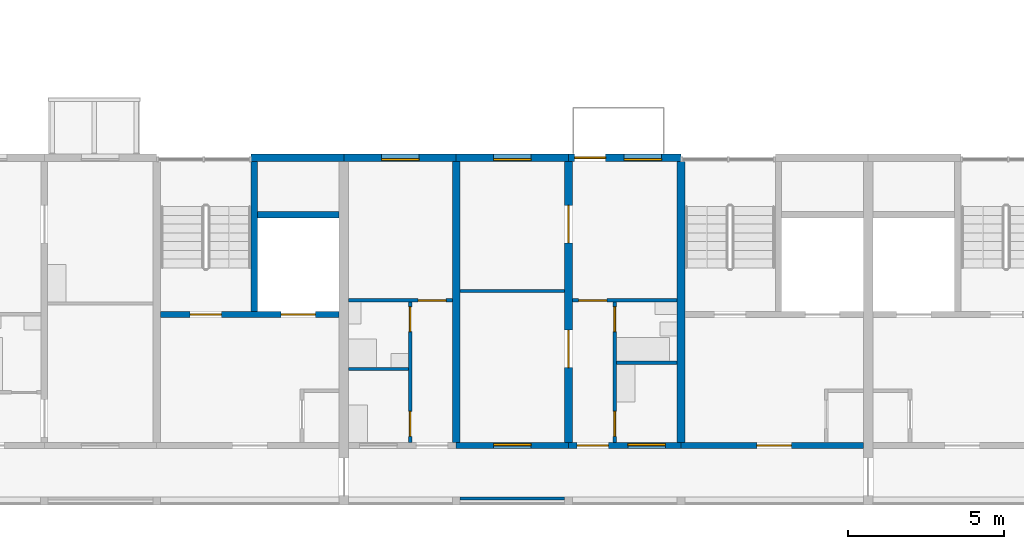
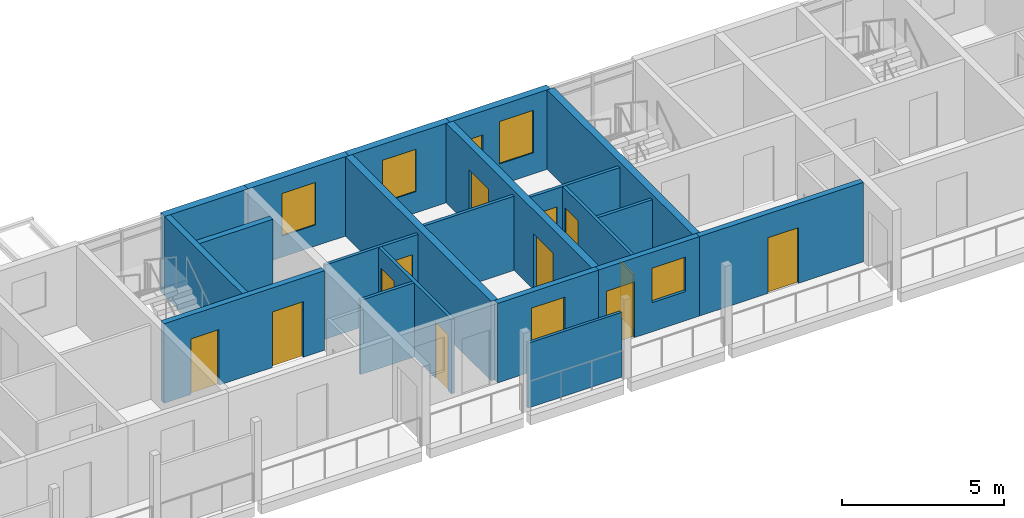
# One storey, part 37 of 99: 21 walls, 13 doors, 5 windows, 18 openings.
"""IFC4 building model written with IfcOpenShell, lengths in metres."""

from ifc_helpers import new_model, si_unit, direction, frame, frame_2d, origin, place, context, subcontext, project, spatial, rectangle, extrude, material, layer, layer_set, type_object, element, fill, save


model = new_model("IFC4")

# Units and contexts
model_context = context("Model", 3, precision=1e-05, world=origin(), true_north=direction((0.0, 1.0)))
body_context = subcontext(model_context, "Body", "Model", "MODEL_VIEW")
ifc_project = project(units=[si_unit("LENGTHUNIT", "METRE"), si_unit("AREAUNIT", "SQUARE_METRE"), si_unit("VOLUMEUNIT", "CUBIC_METRE"), si_unit("PLANEANGLEUNIT", "RADIAN"), si_unit("MASSUNIT", "GRAM", prefix="KILO")], contexts=[model_context])

# Site, building, storey
site_placement = place(None, origin())
site = spatial("IfcSite", under=ifc_project, at=site_placement, CompositionType="ELEMENT")
building_placement = place(site_placement, origin())
building = spatial("IfcBuilding", under=site, at=building_placement, Name="Ridgestep Commons", CompositionType="ELEMENT")
storey_placement = place(building_placement, frame((0.0, 0.0, 15.0)))
storey = spatial("IfcBuildingStorey", under=building, at=storey_placement, Name="L05", CompositionType="ELEMENT", Elevation=15.0)

# Wall
ifc_material_1 = material(Name="Concrete C30/37", Category="concrete")
ifc_layer_1 = layer(ifc_material_1, 0.25)
ifc_layer_set_1 = layer_set([ifc_layer_1], Name="Core cross wall 250")
wall_type_1 = type_object("IfcWallType", Name="Core cross wall 250", PredefinedType="SHEAR", material=ifc_layer_set_1)
wall_1_placement = place(storey_placement, frame((90.0, 13.75, 0.0), z_axis=(0.0, 0.0, 1.0), x_axis=(0.0, 1.0, 0.0)))
element("IfcWall", 1, at=wall_1_placement, inside=storey, type_object=wall_type_1, Name="Cross wall A-05-0900", PredefinedType="SHEAR", context=body_context, shape_type="SweptSolid", body=[
    extrude(rectangle(XDim=9.0, YDim=0.25, at=frame_2d((4.5, 0.0))), origin(), (0.0, 0.0, 1.0), 3.0),
])

# Wall, opening, door
ifc_material_2 = material(Name="Concrete C30/37", Category="concrete")
ifc_layer_2 = layer(ifc_material_2, 0.199951171875)
ifc_layer_set_2 = layer_set([ifc_layer_2], Name="Core south wall 200")
wall_type_2 = type_object("IfcWallType", Name="Core south wall 200", PredefinedType="SHEAR", material=ifc_layer_set_2)
wall_2_placement = place(storey_placement, frame((90.0, 13.64990234375, 0.0), z_axis=(0.0, 0.0, 1.0), x_axis=(1.0, 0.0, 0.0)))
wall_2 = element("IfcWall", 2, at=wall_2_placement, inside=storey, type_object=wall_type_2, Name="Core south wall A5C L05", PredefinedType="SHEAR", context=body_context, shape_type="SweptSolid", body=[
    extrude(rectangle(XDim=5.85009765625, YDim=0.199951171875, at=frame_2d((2.925048828125, 0.0))), origin(), (0.0, 0.0, 1.0), 3.0),
])
opening_1_placement = place(wall_2_placement, frame((2.4375, 0.0, 0.0)))
opening_1 = element("IfcOpeningElement", 3, at=opening_1_placement, cuts=wall_2, Name="Opening A5C/05/1", PredefinedType="OPENING", context=body_context, shape_type="SweptSolid", body=[
    extrude(rectangle(XDim=1.10009765625, YDim=2.10009765625, at=frame_2d((0.550048828125, 1.050048828125))), frame((0.0, 0.10986328125, 0.0), z_axis=(0.0, -1.0, 0.0), x_axis=(1.0, 0.0, 0.0)), (0.0, 0.0, 1.0), 0.219970703125),
])
ifc_material_3 = material(Name="Steel fire door", Category="steel")
door_type_1 = type_object("IfcDoorType", Name="Lobby door 1100 x 2100 FD60", OperationType="NOTDEFINED", PredefinedType="DOOR", material=ifc_material_3)
door_1_placement = place(opening_1_placement, origin())
door_1 = element("IfcDoor", 4, at=door_1_placement, inside=storey, type_object=door_type_1, Name="Lobby door A5C/05/1", OperationType="SINGLE_SWING_LEFT", OverallHeight=2.10009765625, OverallWidth=1.10009765625, PredefinedType="DOOR", context=body_context, shape_type="SweptSolid", body=[
    extrude(rectangle(XDim=1.10009765625, YDim=2.10009765625, at=frame_2d((0.550048828125, 1.050048828125))), frame((0.0, 0.02490234375, 0.0), z_axis=(0.0, -1.0, 0.0), x_axis=(1.0, 0.0, 0.0)), (0.0, 0.0, 1.0), 0.050048828125),
])
fill(opening_1, door_1)

# Wall, openings, doors
ifc_material_4 = material(Name="Concrete C30/37", Category="concrete")
ifc_layer_3 = layer(ifc_material_4, 0.199951171875)
ifc_layer_set_3 = layer_set([ifc_layer_3], Name="Core wall 200")
wall_type_3 = type_object("IfcWallType", Name="Core wall 200", PredefinedType="SHEAR", material=ifc_layer_set_3)
wall_3_placement = place(storey_placement, frame((73.324951171875, 17.85009765625, 0.0), z_axis=(0.0, 0.0, 1.0), x_axis=(1.0, 0.0, 0.0)))
wall_3 = element("IfcWall", 5, at=wall_3_placement, inside=storey, type_object=wall_type_3, Name="Core lobby wall A4C L05", PredefinedType="SHEAR", context=body_context, shape_type="SweptSolid", body=[
    extrude(rectangle(XDim=5.72509765625, YDim=0.199951171875, at=frame_2d((2.862548828125, 0.0))), origin(), (0.0, 0.0, 1.0), 3.0),
])
opening_2_placement = place(wall_3_placement, frame((0.949951171875, 0.0, 0.0)))
opening_2 = element("IfcOpeningElement", 6, at=opening_2_placement, cuts=wall_3, Name="Opening A4C/05/2", PredefinedType="OPENING", context=body_context, shape_type="SweptSolid", body=[
    extrude(rectangle(XDim=1.0, YDim=2.10009765625, at=frame_2d((0.5, 1.050048828125))), frame((0.0, 0.10986328125, 0.0), z_axis=(0.0, -1.0, 0.0), x_axis=(1.0, 0.0, 0.0)), (0.0, 0.0, 1.0), 0.219970703125),
])
opening_3_placement = place(wall_3_placement, frame((3.862548828125, 0.0, 0.0)))
opening_3 = element("IfcOpeningElement", 7, at=opening_3_placement, cuts=wall_3, Name="Opening A4C/05/3", PredefinedType="OPENING", context=body_context, shape_type="SweptSolid", body=[
    extrude(rectangle(XDim=1.10009765625, YDim=2.10009765625, at=frame_2d((0.550048828125, 1.050048828125))), frame((0.0, 0.10986328125, 0.0), z_axis=(0.0, -1.0, 0.0), x_axis=(1.0, 0.0, 0.0)), (0.0, 0.0, 1.0), 0.219970703125),
])
ifc_material_5 = material(Name="Stainless steel", Category="steel")
door_type_2 = type_object("IfcDoorType", Name="Lift landing door 1100 x 2100 FD60", OperationType="DOUBLE_DOOR_SLIDING", PredefinedType="DOOR", material=ifc_material_5)
door_2_placement = place(opening_3_placement, origin())
door_2 = element("IfcDoor", 8, at=door_2_placement, inside=storey, type_object=door_type_2, Name="Landing door LD A4C L05", OperationType="DOUBLE_DOOR_SLIDING", OverallHeight=2.10009765625, OverallWidth=1.10009765625, PredefinedType="DOOR", context=body_context, shape_type="SweptSolid", body=[
    extrude(rectangle(XDim=1.10009765625, YDim=2.10009765625, at=frame_2d((0.550048828125, 1.050048828125))), frame((0.0, 0.02490234375, 0.0), z_axis=(0.0, -1.0, 0.0), x_axis=(1.0, 0.0, 0.0)), (0.0, 0.0, 1.0), 0.050048828125),
])
fill(opening_3, door_2)
ifc_material_6 = material(Name="Steel fire door", Category="steel")
door_type_3 = type_object("IfcDoorType", Name="Stair door 1000 x 2100 FD60", OperationType="NOTDEFINED", PredefinedType="DOOR", material=ifc_material_6)
door_3_placement = place(opening_2_placement, origin())
door_3 = element("IfcDoor", 9, at=door_3_placement, inside=storey, type_object=door_type_3, Name="Stair door A4C/05/2", OperationType="SINGLE_SWING_RIGHT", OverallHeight=2.10009765625, OverallWidth=1.0, PredefinedType="DOOR", context=body_context, shape_type="SweptSolid", body=[
    extrude(rectangle(XDim=1.0, YDim=2.10009765625, at=frame_2d((0.5, 1.050048828125))), frame((0.0, 0.02490234375, 0.0), z_axis=(0.0, -1.0, 0.0), x_axis=(1.0, 0.0, 0.0)), (0.0, 0.0, 1.0), 0.050048828125),
])
fill(opening_2, door_3)

# Walls
wall_4_placement = place(storey_placement, frame((76.324951171875, 17.949951171875, 0.0), z_axis=(0.0, 0.0, 1.0), x_axis=(0.0, 1.0, 0.0)))
element("IfcWall", 10, at=wall_4_placement, inside=storey, type_object=wall_type_3, Name="Core stair wall A4C L05", PredefinedType="SHEAR", context=body_context, shape_type="SweptSolid", body=[
    extrude(rectangle(XDim=4.800048828125, YDim=0.199951171875, at=frame_2d((2.39990234375, 0.0))), origin(), (0.0, 0.0, 1.0), 3.0),
])
wall_5_placement = place(storey_placement, frame((76.425048828125, 21.050048828125, 0.0), z_axis=(0.0, 0.0, 1.0), x_axis=(1.0, 0.0, 0.0)))
element("IfcWall", 11, at=wall_5_placement, inside=storey, type_object=wall_type_3, Name="Core duct wall A4C L05", PredefinedType="SHEAR", context=body_context, shape_type="SweptSolid", body=[
    extrude(rectangle(XDim=2.625, YDim=0.199951171875, at=frame_2d((1.3125, 0.0))), origin(), (0.0, 0.0, 1.0), 3.0),
])
ifc_material_7 = material(Name="Precast concrete C40/50", Category="concrete")
ifc_layer_4 = layer(ifc_material_7, 0.25)
ifc_layer_set_4 = layer_set([ifc_layer_4], Name="Cross wall 250")
wall_type_4 = type_object("IfcWallType", Name="Cross wall 250", PredefinedType="SHEAR", material=ifc_layer_set_4)
wall_6_placement = place(storey_placement, frame((82.800048828125, 13.75, 0.0), z_axis=(0.0, 0.0, 1.0), x_axis=(0.0, 1.0, 0.0)))
element("IfcWall", 12, at=wall_6_placement, inside=storey, type_object=wall_type_4, Name="Cross wall A-05-0828", PredefinedType="SHEAR", context=body_context, shape_type="SweptSolid", body=[
    extrude(rectangle(XDim=9.0, YDim=0.25, at=frame_2d((4.5, 0.0))), origin(), (0.0, 0.0, 1.0), 3.0),
])

# Wall, openings, doors
wall_7_placement = place(storey_placement, frame((86.39990234375, 13.75, 0.0), z_axis=(0.0, 0.0, 1.0), x_axis=(0.0, 1.0, 0.0)))
wall_7 = element("IfcWall", 13, at=wall_7_placement, inside=storey, type_object=wall_type_4, Name="Cross wall A-05-0864", PredefinedType="SHEAR", context=body_context, shape_type="SweptSolid", body=[
    extrude(rectangle(XDim=9.0, YDim=0.25, at=frame_2d((4.5, 0.0))), origin(), (0.0, 0.0, 1.0), 3.0),
])
opening_4_placement = place(wall_7_placement, frame((2.39990234375, 0.0, 0.0)))
opening_4 = element("IfcOpeningElement", 14, at=opening_4_placement, cuts=wall_7, Name="Opening A5-05b/5", PredefinedType="OPENING", context=body_context, shape_type="SweptSolid", body=[
    extrude(rectangle(XDim=1.199951171875, YDim=2.10009765625, at=frame_2d((0.60009765625, 1.050048828125))), frame((0.0, 0.135009765625, 0.0), z_axis=(0.0, -1.0, 0.0), x_axis=(1.0, 0.0, 0.0)), (0.0, 0.0, 1.0), 0.27001953125),
])
opening_5_placement = place(wall_7_placement, frame((6.39990234375, 0.0, 0.0)))
opening_5 = element("IfcOpeningElement", 15, at=opening_5_placement, cuts=wall_7, Name="Opening A5-05b/6", PredefinedType="OPENING", context=body_context, shape_type="SweptSolid", body=[
    extrude(rectangle(XDim=1.199951171875, YDim=2.10009765625, at=frame_2d((0.60009765625, 1.050048828125))), frame((0.0, 0.135009765625, 0.0), z_axis=(0.0, -1.0, 0.0), x_axis=(1.0, 0.0, 0.0)), (0.0, 0.0, 1.0), 0.27001953125),
])
ifc_material_8 = material(Name="Timber door leaf", Category="wood")
door_type_4 = type_object("IfcDoorType", Name="Double door 1200 x 2100", OperationType="DOUBLE_DOOR_SINGLE_SWING", PredefinedType="DOOR", material=ifc_material_8)
door_4_placement = place(opening_4_placement, origin())
door_4 = element("IfcDoor", 16, at=door_4_placement, inside=storey, type_object=door_type_4, Name="Double door A5-05b/5", OperationType="DOUBLE_DOOR_SINGLE_SWING", OverallHeight=2.10009765625, OverallWidth=1.199951171875, PredefinedType="DOOR", context=body_context, shape_type="SweptSolid", body=[
    extrude(rectangle(XDim=1.199951171875, YDim=2.10009765625, at=frame_2d((0.60009765625, 1.050048828125))), frame((0.0, 0.02490234375, 0.0), z_axis=(0.0, -1.0, 0.0), x_axis=(1.0, 0.0, 0.0)), (0.0, 0.0, 1.0), 0.050048828125),
])
fill(opening_4, door_4)
door_5_placement = place(opening_5_placement, origin())
door_5 = element("IfcDoor", 17, at=door_5_placement, inside=storey, type_object=door_type_4, Name="Double door A5-05b/6", OperationType="DOUBLE_DOOR_SINGLE_SWING", OverallHeight=2.10009765625, OverallWidth=1.199951171875, PredefinedType="DOOR", context=body_context, shape_type="SweptSolid", body=[
    extrude(rectangle(XDim=1.199951171875, YDim=2.10009765625, at=frame_2d((0.60009765625, 1.050048828125))), frame((0.0, 0.02490234375, 0.0), z_axis=(0.0, -1.0, 0.0), x_axis=(1.0, 0.0, 0.0)), (0.0, 0.0, 1.0), 0.050048828125),
])
fill(opening_5, door_5)

# Wall
ifc_material_9 = material(Name="Precast concrete C40/50", Category="concrete")
ifc_layer_5 = layer(ifc_material_9, 0.25)
ifc_layer_set_5 = layer_set([ifc_layer_5], Name="North facade panel 250")
wall_type_5 = type_object("IfcWallType", Name="North facade panel 250", PredefinedType="SOLIDWALL", material=ifc_layer_set_5)
wall_8_placement = place(storey_placement, frame((76.22509765625, 22.875, 0.0), z_axis=(0.0, 0.0, 1.0), x_axis=(1.0, 0.0, 0.0)))
element("IfcWall", 18, at=wall_8_placement, inside=storey, type_object=wall_type_5, Name="North panel A4C L05", PredefinedType="SOLIDWALL", context=body_context, shape_type="SweptSolid", body=[
    extrude(rectangle(XDim=2.974853515625, YDim=0.25, at=frame_2d((1.4873046875, 0.0))), origin(), (0.0, 0.0, 1.0), 3.0),
])

# Wall, opening, window
wall_9_placement = place(storey_placement, frame((79.199951171875, 22.875, 0.0), z_axis=(0.0, 0.0, 1.0), x_axis=(1.0, 0.0, 0.0)))
wall_9 = element("IfcWall", 19, at=wall_9_placement, inside=storey, type_object=wall_type_5, Name="North panel A5T1 L05", PredefinedType="SOLIDWALL", context=body_context, shape_type="SweptSolid", body=[
    extrude(rectangle(XDim=3.60009765625, YDim=0.25, at=frame_2d((1.800048828125, 0.0))), origin(), (0.0, 0.0, 1.0), 3.0),
])
opening_6_placement = place(wall_9_placement, frame((1.21240234375, 0.0, 0.800048828125)))
opening_6 = element("IfcOpeningElement", 20, at=opening_6_placement, cuts=wall_9, Name="Opening W11", PredefinedType="OPENING", context=body_context, shape_type="SweptSolid", body=[
    extrude(rectangle(XDim=1.199951171875, YDim=1.60009765625, at=frame_2d((0.60009765625, 0.800048828125))), frame((0.0, 0.135009765625, 0.0), z_axis=(0.0, -1.0, 0.0), x_axis=(1.0, 0.0, 0.0)), (0.0, 0.0, 1.0), 0.27001953125),
])
ifc_material_10 = material(Name="Aluminium 6063-T6 and glass", Category="aluminium")
window_type_1 = type_object("IfcWindowType", Name="Flat window 1200 x 1600", PartitioningType="SINGLE_PANEL", PredefinedType="WINDOW", material=ifc_material_10)
window_1_placement = place(opening_6_placement, origin())
window_1 = element("IfcWindow", 21, at=window_1_placement, inside=storey, type_object=window_type_1, Name="Window A5-05a 2", OverallHeight=1.60009765625, OverallWidth=1.199951171875, PartitioningType="SINGLE_PANEL", PredefinedType="WINDOW", context=body_context, shape_type="SweptSolid", body=[
    extrude(rectangle(XDim=1.199951171875, YDim=1.60009765625, at=frame_2d((0.60009765625, 0.800048828125))), frame((0.0, -0.02490234375, 0.0), z_axis=(0.0, -1.0, 0.0), x_axis=(1.0, 0.0, 0.0)), (0.0, 0.0, 1.0), 0.06005859375),
])
fill(opening_6, window_1)

wall_10_placement = place(storey_placement, frame((82.800048828125, 22.875, 0.0), z_axis=(0.0, 0.0, 1.0), x_axis=(1.0, 0.0, 0.0)))
wall_10 = element("IfcWall", 22, at=wall_10_placement, inside=storey, type_object=wall_type_5, Name="North panel A5T2 L05", PredefinedType="SOLIDWALL", context=body_context, shape_type="SweptSolid", body=[
    extrude(rectangle(XDim=3.599853515625, YDim=0.25, at=frame_2d((1.7998046875, 0.0))), origin(), (0.0, 0.0, 1.0), 3.0),
])
opening_7_placement = place(wall_10_placement, frame((1.199951171875, 0.0, 0.800048828125)))
opening_7 = element("IfcOpeningElement", 23, at=opening_7_placement, cuts=wall_10, Name="Opening W11", PredefinedType="OPENING", context=body_context, shape_type="SweptSolid", body=[
    extrude(rectangle(XDim=1.199951171875, YDim=1.60009765625, at=frame_2d((0.60009765625, 0.800048828125))), frame((0.0, 0.135009765625, 0.0), z_axis=(0.0, -1.0, 0.0), x_axis=(1.0, 0.0, 0.0)), (0.0, 0.0, 1.0), 0.27001953125),
])
window_2_placement = place(opening_7_placement, origin())
window_2 = element("IfcWindow", 24, at=window_2_placement, inside=storey, type_object=window_type_1, Name="Window A5-05b 2", OverallHeight=1.60009765625, OverallWidth=1.199951171875, PartitioningType="SINGLE_PANEL", PredefinedType="WINDOW", context=body_context, shape_type="SweptSolid", body=[
    extrude(rectangle(XDim=1.199951171875, YDim=1.60009765625, at=frame_2d((0.60009765625, 0.800048828125))), frame((0.0, -0.02490234375, 0.0), z_axis=(0.0, -1.0, 0.0), x_axis=(1.0, 0.0, 0.0)), (0.0, 0.0, 1.0), 0.06005859375),
])
fill(opening_7, window_2)

# Wall, openings, door, window
wall_11_placement = place(storey_placement, frame((86.39990234375, 22.875, 0.0), z_axis=(0.0, 0.0, 1.0), x_axis=(1.0, 0.0, 0.0)))
wall_11 = element("IfcWall", 25, at=wall_11_placement, inside=storey, type_object=wall_type_5, Name="North panel A5T3 L05", PredefinedType="SOLIDWALL", context=body_context, shape_type="SweptSolid", body=[
    extrude(rectangle(XDim=3.60009765625, YDim=0.25, at=frame_2d((1.800048828125, 0.0))), origin(), (0.0, 0.0, 1.0), 3.0),
])
opening_8_placement = place(wall_11_placement, frame((1.783447265625, 0.0, 0.800048828125)))
opening_8 = element("IfcOpeningElement", 26, at=opening_8_placement, cuts=wall_11, Name="Opening W11", PredefinedType="OPENING", context=body_context, shape_type="SweptSolid", body=[
    extrude(rectangle(XDim=1.199951171875, YDim=1.60009765625, at=frame_2d((0.60009765625, 0.800048828125))), frame((0.0, 0.135009765625, 0.0), z_axis=(0.0, -1.0, 0.0), x_axis=(1.0, 0.0, 0.0)), (0.0, 0.0, 1.0), 0.27001953125),
])
opening_9_placement = place(wall_11_placement, frame((0.19189453125, 0.0, 0.0)))
opening_9 = element("IfcOpeningElement", 27, at=opening_9_placement, cuts=wall_11, Name="Opening A5-05b/7", PredefinedType="OPENING", context=body_context, shape_type="SweptSolid", body=[
    extrude(rectangle(XDim=1.0, YDim=2.10009765625, at=frame_2d((0.5, 1.050048828125))), frame((0.0, 0.135009765625, 0.0), z_axis=(0.0, -1.0, 0.0), x_axis=(1.0, 0.0, 0.0)), (0.0, 0.0, 1.0), 0.27001953125),
])
ifc_material_11 = material(Name="Aluminium and glass", Category="aluminium")
door_type_5 = type_object("IfcDoorType", Name="Balcony door 1000 x 2100", OperationType="NOTDEFINED", PredefinedType="DOOR", material=ifc_material_11)
door_6_placement = place(opening_9_placement, origin())
door_6 = element("IfcDoor", 28, at=door_6_placement, inside=storey, type_object=door_type_5, Name="Balcony door A5-05b/7", OperationType="SINGLE_SWING_RIGHT", OverallHeight=2.10009765625, OverallWidth=1.0, PredefinedType="DOOR", context=body_context, shape_type="SweptSolid", body=[
    extrude(rectangle(XDim=1.0, YDim=2.10009765625, at=frame_2d((0.5, 1.050048828125))), frame((0.0, 0.02490234375, 0.0), z_axis=(0.0, -1.0, 0.0), x_axis=(1.0, 0.0, 0.0)), (0.0, 0.0, 1.0), 0.050048828125),
])
fill(opening_9, door_6)
window_3_placement = place(opening_8_placement, origin())
window_3 = element("IfcWindow", 29, at=window_3_placement, inside=storey, type_object=window_type_1, Name="Window A5-05b 4", OverallHeight=1.60009765625, OverallWidth=1.199951171875, PartitioningType="SINGLE_PANEL", PredefinedType="WINDOW", context=body_context, shape_type="SweptSolid", body=[
    extrude(rectangle(XDim=1.199951171875, YDim=1.60009765625, at=frame_2d((0.60009765625, 0.800048828125))), frame((0.0, -0.02490234375, 0.0), z_axis=(0.0, -1.0, 0.0), x_axis=(1.0, 0.0, 0.0)), (0.0, 0.0, 1.0), 0.06005859375),
])
fill(opening_8, window_3)

# Wall
ifc_material_12 = material(Name="Common brick 110 mm", Category="masonry")
ifc_layer_6 = layer(ifc_material_12, 0.110107421875)
ifc_layer_set_6 = layer_set([ifc_layer_6], Name="Partition 110")
wall_type_6 = type_object("IfcWallType", Name="Partition 110", PredefinedType="PARTITIONING", material=ifc_layer_set_6)
wall_12_placement = place(storey_placement, frame((79.35009765625, 16.10498046875, 0.0), z_axis=(0.0, 0.0, 1.0), x_axis=(1.0, 0.0, 0.0)))
element("IfcWall", 30, at=wall_12_placement, inside=storey, type_object=wall_type_6, Name="Partition A5-05a", PredefinedType="PARTITIONING", context=body_context, shape_type="SweptSolid", body=[
    extrude(rectangle(XDim=1.914794921875, YDim=0.110107421875, at=frame_2d((0.95751953125, 0.0))), origin(), (0.0, 0.0, 1.0), 2.800048828125),
])

# Wall, openings, doors
wall_13_placement = place(storey_placement, frame((81.320068359375, 13.75, 0.0), z_axis=(0.0, 0.0, 1.0), x_axis=(0.0, 1.0, 0.0)))
wall_13 = element("IfcWall", 31, at=wall_13_placement, inside=storey, type_object=wall_type_6, Name="Partition A5-05a", PredefinedType="PARTITIONING", context=body_context, shape_type="SweptSolid", body=[
    extrude(rectangle(XDim=4.5, YDim=0.110107421875, at=frame_2d((2.25, 0.0))), origin(), (0.0, 0.0, 1.0), 2.800048828125),
])
opening_10_placement = place(wall_13_placement, frame((0.199951171875, 0.0, 0.0)))
opening_10 = element("IfcOpeningElement", 32, at=opening_10_placement, cuts=wall_13, Name="Opening A5-05a/2", PredefinedType="OPENING", context=body_context, shape_type="SweptSolid", body=[
    extrude(rectangle(XDim=0.800048828125, YDim=2.10009765625, at=frame_2d((0.39990234375, 1.050048828125))), frame((0.0, 0.06494140625, 0.0), z_axis=(0.0, -1.0, 0.0), x_axis=(1.0, 0.0, 0.0)), (0.0, 0.0, 1.0), 0.130126953125),
])
opening_11_placement = place(wall_13_placement, frame((3.550048828125, 0.0, 0.0)))
opening_11 = element("IfcOpeningElement", 33, at=opening_11_placement, cuts=wall_13, Name="Opening A5-05a/3", PredefinedType="OPENING", context=body_context, shape_type="SweptSolid", body=[
    extrude(rectangle(XDim=0.800048828125, YDim=2.10009765625, at=frame_2d((0.39990234375, 1.050048828125))), frame((0.0, 0.06494140625, 0.0), z_axis=(0.0, -1.0, 0.0), x_axis=(1.0, 0.0, 0.0)), (0.0, 0.0, 1.0), 0.130126953125),
])
ifc_material_13 = material(Name="Timber door leaf", Category="wood")
door_type_6 = type_object("IfcDoorType", Name="Internal door 800 x 2100", OperationType="NOTDEFINED", PredefinedType="DOOR", material=ifc_material_13)
door_7_placement = place(opening_10_placement, origin())
door_7 = element("IfcDoor", 34, at=door_7_placement, inside=storey, type_object=door_type_6, Name="Internal door A5-05a/2", OperationType="SINGLE_SWING_LEFT", OverallHeight=2.10009765625, OverallWidth=0.800048828125, PredefinedType="DOOR", context=body_context, shape_type="SweptSolid", body=[
    extrude(rectangle(XDim=0.800048828125, YDim=2.10009765625, at=frame_2d((0.39990234375, 1.050048828125))), frame((0.0, 0.02490234375, 0.0), z_axis=(0.0, -1.0, 0.0), x_axis=(1.0, 0.0, 0.0)), (0.0, 0.0, 1.0), 0.050048828125),
])
fill(opening_10, door_7)
door_8_placement = place(opening_11_placement, origin())
door_8 = element("IfcDoor", 35, at=door_8_placement, inside=storey, type_object=door_type_6, Name="Internal door A5-05a/3", OperationType="SINGLE_SWING_RIGHT", OverallHeight=2.10009765625, OverallWidth=0.800048828125, PredefinedType="DOOR", context=body_context, shape_type="SweptSolid", body=[
    extrude(rectangle(XDim=0.800048828125, YDim=2.10009765625, at=frame_2d((0.39990234375, 1.050048828125))), frame((0.0, 0.02490234375, 0.0), z_axis=(0.0, -1.0, 0.0), x_axis=(1.0, 0.0, 0.0)), (0.0, 0.0, 1.0), 0.050048828125),
])
fill(opening_11, door_8)

# Wall, opening, door
wall_14_placement = place(storey_placement, frame((79.35009765625, 18.304931640625, 0.0), z_axis=(0.0, 0.0, 1.0), x_axis=(1.0, 0.0, 0.0)))
wall_14 = element("IfcWall", 36, at=wall_14_placement, inside=storey, type_object=wall_type_6, Name="Partition A5-05a", PredefinedType="PARTITIONING", context=body_context, shape_type="SweptSolid", body=[
    extrude(rectangle(XDim=3.324951171875, YDim=0.110107421875, at=frame_2d((1.66259765625, 0.0))), origin(), (0.0, 0.0, 1.0), 2.800048828125),
])
opening_12_placement = place(wall_14_placement, frame((2.22509765625, 0.0, 0.0)))
opening_12 = element("IfcOpeningElement", 37, at=opening_12_placement, cuts=wall_14, Name="Opening A5-05a/4", PredefinedType="OPENING", context=body_context, shape_type="SweptSolid", body=[
    extrude(rectangle(XDim=0.89990234375, YDim=2.10009765625, at=frame_2d((0.449951171875, 1.050048828125))), frame((0.0, 0.06494140625, 0.0), z_axis=(0.0, -1.0, 0.0), x_axis=(1.0, 0.0, 0.0)), (0.0, 0.0, 1.0), 0.130126953125),
])
ifc_material_14 = material(Name="Timber door leaf", Category="wood")
door_type_7 = type_object("IfcDoorType", Name="Internal door 900 x 2100", OperationType="NOTDEFINED", PredefinedType="DOOR", material=ifc_material_14)
door_9_placement = place(opening_12_placement, origin())
door_9 = element("IfcDoor", 38, at=door_9_placement, inside=storey, type_object=door_type_7, Name="Internal door A5-05a/4", OperationType="SINGLE_SWING_RIGHT", OverallHeight=2.10009765625, OverallWidth=0.89990234375, PredefinedType="DOOR", context=body_context, shape_type="SweptSolid", body=[
    extrude(rectangle(XDim=0.89990234375, YDim=2.10009765625, at=frame_2d((0.449951171875, 1.050048828125))), frame((0.0, 0.02490234375, 0.0), z_axis=(0.0, -1.0, 0.0), x_axis=(1.0, 0.0, 0.0)), (0.0, 0.0, 1.0), 0.050048828125),
])
fill(opening_12, door_9)

# Wall, openings, doors
wall_15_placement = place(storey_placement, frame((87.8798828125, 13.75, 0.0), z_axis=(0.0, 0.0, 1.0), x_axis=(0.0, 1.0, 0.0)))
wall_15 = element("IfcWall", 39, at=wall_15_placement, inside=storey, type_object=wall_type_6, Name="Partition A5-05b", PredefinedType="PARTITIONING", context=body_context, shape_type="SweptSolid", body=[
    extrude(rectangle(XDim=4.5, YDim=0.110107421875, at=frame_2d((2.25, 0.0))), origin(), (0.0, 0.0, 1.0), 2.800048828125),
])
opening_13_placement = place(wall_15_placement, frame((0.199951171875, 0.0, 0.0)))
opening_13 = element("IfcOpeningElement", 40, at=opening_13_placement, cuts=wall_15, Name="Opening A5-05b/2", PredefinedType="OPENING", context=body_context, shape_type="SweptSolid", body=[
    extrude(rectangle(XDim=0.800048828125, YDim=2.10009765625, at=frame_2d((0.39990234375, 1.050048828125))), frame((0.0, 0.06494140625, 0.0), z_axis=(0.0, -1.0, 0.0), x_axis=(1.0, 0.0, 0.0)), (0.0, 0.0, 1.0), 0.130126953125),
])
opening_14_placement = place(wall_15_placement, frame((3.550048828125, 0.0, 0.0)))
opening_14 = element("IfcOpeningElement", 41, at=opening_14_placement, cuts=wall_15, Name="Opening A5-05b/3", PredefinedType="OPENING", context=body_context, shape_type="SweptSolid", body=[
    extrude(rectangle(XDim=0.800048828125, YDim=2.10009765625, at=frame_2d((0.39990234375, 1.050048828125))), frame((0.0, 0.06494140625, 0.0), z_axis=(0.0, -1.0, 0.0), x_axis=(1.0, 0.0, 0.0)), (0.0, 0.0, 1.0), 0.130126953125),
])
door_10_placement = place(opening_13_placement, origin())
door_10 = element("IfcDoor", 42, at=door_10_placement, inside=storey, type_object=door_type_6, Name="Internal door A5-05b/2", OperationType="SINGLE_SWING_RIGHT", OverallHeight=2.10009765625, OverallWidth=0.800048828125, PredefinedType="DOOR", context=body_context, shape_type="SweptSolid", body=[
    extrude(rectangle(XDim=0.800048828125, YDim=2.10009765625, at=frame_2d((0.39990234375, 1.050048828125))), frame((0.0, 0.02490234375, 0.0), z_axis=(0.0, -1.0, 0.0), x_axis=(1.0, 0.0, 0.0)), (0.0, 0.0, 1.0), 0.050048828125),
])
fill(opening_13, door_10)
door_11_placement = place(opening_14_placement, origin())
door_11 = element("IfcDoor", 43, at=door_11_placement, inside=storey, type_object=door_type_6, Name="Internal door A5-05b/3", OperationType="SINGLE_SWING_LEFT", OverallHeight=2.10009765625, OverallWidth=0.800048828125, PredefinedType="DOOR", context=body_context, shape_type="SweptSolid", body=[
    extrude(rectangle(XDim=0.800048828125, YDim=2.10009765625, at=frame_2d((0.39990234375, 1.050048828125))), frame((0.0, 0.02490234375, 0.0), z_axis=(0.0, -1.0, 0.0), x_axis=(1.0, 0.0, 0.0)), (0.0, 0.0, 1.0), 0.050048828125),
])
fill(opening_14, door_11)

# Wall
wall_16_placement = place(storey_placement, frame((87.93505859375, 16.304931640625, 0.0), z_axis=(0.0, 0.0, 1.0), x_axis=(1.0, 0.0, 0.0)))
element("IfcWall", 44, at=wall_16_placement, inside=storey, type_object=wall_type_6, Name="Partition A5-05b", PredefinedType="PARTITIONING", context=body_context, shape_type="SweptSolid", body=[
    extrude(rectangle(XDim=1.93994140625, YDim=0.110107421875, at=frame_2d((0.969970703125, 0.0))), origin(), (0.0, 0.0, 1.0), 2.800048828125),
])

# Wall, opening, door
wall_17_placement = place(storey_placement, frame((86.52490234375, 18.304931640625, 0.0), z_axis=(0.0, 0.0, 1.0), x_axis=(1.0, 0.0, 0.0)))
wall_17 = element("IfcWall", 45, at=wall_17_placement, inside=storey, type_object=wall_type_6, Name="Partition A5-05b", PredefinedType="PARTITIONING", context=body_context, shape_type="SweptSolid", body=[
    extrude(rectangle(XDim=3.35009765625, YDim=0.110107421875, at=frame_2d((1.675048828125, 0.0))), origin(), (0.0, 0.0, 1.0), 2.800048828125),
])
opening_15_placement = place(wall_17_placement, frame((0.199951171875, 0.0, 0.0)))
opening_15 = element("IfcOpeningElement", 46, at=opening_15_placement, cuts=wall_17, Name="Opening A5-05b/4", PredefinedType="OPENING", context=body_context, shape_type="SweptSolid", body=[
    extrude(rectangle(XDim=0.89990234375, YDim=2.10009765625, at=frame_2d((0.449951171875, 1.050048828125))), frame((0.0, 0.06494140625, 0.0), z_axis=(0.0, -1.0, 0.0), x_axis=(1.0, 0.0, 0.0)), (0.0, 0.0, 1.0), 0.130126953125),
])
door_12_placement = place(opening_15_placement, origin())
door_12 = element("IfcDoor", 47, at=door_12_placement, inside=storey, type_object=door_type_7, Name="Internal door A5-05b/4", OperationType="SINGLE_SWING_RIGHT", OverallHeight=2.10009765625, OverallWidth=0.89990234375, PredefinedType="DOOR", context=body_context, shape_type="SweptSolid", body=[
    extrude(rectangle(XDim=0.89990234375, YDim=2.10009765625, at=frame_2d((0.449951171875, 1.050048828125))), frame((0.0, 0.02490234375, 0.0), z_axis=(0.0, -1.0, 0.0), x_axis=(1.0, 0.0, 0.0)), (0.0, 0.0, 1.0), 0.050048828125),
])
fill(opening_15, door_12)

# Walls
wall_18_placement = place(storey_placement, frame((82.925048828125, 18.60498046875, 0.0), z_axis=(0.0, 0.0, 1.0), x_axis=(1.0, 0.0, 0.0)))
element("IfcWall", 48, at=wall_18_placement, inside=storey, type_object=wall_type_6, Name="Partition A5-05b", PredefinedType="PARTITIONING", context=body_context, shape_type="SweptSolid", body=[
    extrude(rectangle(XDim=3.349853515625, YDim=0.110107421875, at=frame_2d((1.6748046875, 0.0))), origin(), (0.0, 0.0, 1.0), 2.800048828125),
])
ifc_material_15 = material(Name="Precast concrete C30/37", Category="concrete")
ifc_layer_7 = layer(ifc_material_15, 0.10009765625)
ifc_layer_set_7 = layer_set([ifc_layer_7], Name="Perforated gallery screen 3350 x 2450 x 100")
wall_type_7 = type_object("IfcWallType", Name="Perforated gallery screen 3350 x 2450 x 100", PredefinedType="SOLIDWALL", material=ifc_layer_set_7)
wall_19_placement = place(storey_placement, frame((82.925048828125, 11.949951171875, 0.0), z_axis=(0.0, 0.0, 1.0), x_axis=(1.0, 0.0, 0.0)))
element("IfcWall", 49, at=wall_19_placement, inside=storey, type_object=wall_type_7, Name="Gallery screen A5T2 05", PredefinedType="SOLIDWALL", context=body_context, shape_type="SweptSolid", body=[
    extrude(rectangle(XDim=3.349853515625, YDim=0.10009765625, at=frame_2d((1.6748046875, 0.0))), origin(), (0.0, 0.0, 1.0), 2.449951171875),
])

# Wall, opening, window
ifc_material_16 = material(Name="Precast concrete C40/50", Category="concrete")
ifc_layer_8 = layer(ifc_material_16, 0.199951171875)
ifc_layer_set_8 = layer_set([ifc_layer_8], Name="South facade panel 200")
wall_type_8 = type_object("IfcWallType", Name="South facade panel 200", PredefinedType="SOLIDWALL", material=ifc_layer_set_8)
wall_20_placement = place(storey_placement, frame((82.800048828125, 13.64990234375, 0.0), z_axis=(0.0, 0.0, 1.0), x_axis=(1.0, 0.0, 0.0)))
wall_20 = element("IfcWall", 50, at=wall_20_placement, inside=storey, type_object=wall_type_8, Name="South panel A5T2 L05", PredefinedType="SOLIDWALL", context=body_context, shape_type="SweptSolid", body=[
    extrude(rectangle(XDim=3.599853515625, YDim=0.199951171875, at=frame_2d((1.7998046875, 0.0))), origin(), (0.0, 0.0, 1.0), 3.0),
])
opening_16_placement = place(wall_20_placement, frame((1.199951171875, 0.0, 0.800048828125)))
opening_16 = element("IfcOpeningElement", 51, at=opening_16_placement, cuts=wall_20, Name="Opening W11", PredefinedType="OPENING", context=body_context, shape_type="SweptSolid", body=[
    extrude(rectangle(XDim=1.199951171875, YDim=1.60009765625, at=frame_2d((0.60009765625, 0.800048828125))), frame((0.0, 0.10986328125, 0.0), z_axis=(0.0, -1.0, 0.0), x_axis=(1.0, 0.0, 0.0)), (0.0, 0.0, 1.0), 0.219970703125),
])
window_4_placement = place(opening_16_placement, origin())
window_4 = element("IfcWindow", 52, at=window_4_placement, inside=storey, type_object=window_type_1, Name="Window A5-05b 1", OverallHeight=1.60009765625, OverallWidth=1.199951171875, PartitioningType="SINGLE_PANEL", PredefinedType="WINDOW", context=body_context, shape_type="SweptSolid", body=[
    extrude(rectangle(XDim=1.199951171875, YDim=1.60009765625, at=frame_2d((0.60009765625, 0.800048828125))), frame((0.0, 0.06005859375, 0.0), z_axis=(0.0, -1.0, 0.0), x_axis=(1.0, 0.0, 0.0)), (0.0, 0.0, 1.0), 0.06005859375),
])
fill(opening_16, window_4)

# Wall, openings, door, window
wall_21_placement = place(storey_placement, frame((86.39990234375, 13.64990234375, 0.0), z_axis=(0.0, 0.0, 1.0), x_axis=(1.0, 0.0, 0.0)))
wall_21 = element("IfcWall", 53, at=wall_21_placement, inside=storey, type_object=wall_type_8, Name="South panel A5T3 L05", PredefinedType="SOLIDWALL", context=body_context, shape_type="SweptSolid", body=[
    extrude(rectangle(XDim=3.60009765625, YDim=0.199951171875, at=frame_2d((1.800048828125, 0.0))), origin(), (0.0, 0.0, 1.0), 3.0),
])
opening_17_placement = place(wall_21_placement, frame((1.905029296875, 0.0, 1.10009765625)))
opening_17 = element("IfcOpeningElement", 54, at=opening_17_placement, cuts=wall_21, Name="Opening W08", PredefinedType="OPENING", context=body_context, shape_type="SweptSolid", body=[
    extrude(rectangle(XDim=1.199951171875, YDim=1.300048828125, at=frame_2d((0.60009765625, 0.64990234375))), frame((0.0, 0.10986328125, 0.0), z_axis=(0.0, -1.0, 0.0), x_axis=(1.0, 0.0, 0.0)), (0.0, 0.0, 1.0), 0.219970703125),
])
opening_18_placement = place(wall_21_placement, frame((0.27490234375, 0.0, 0.0)))
opening_18 = element("IfcOpeningElement", 55, at=opening_18_placement, cuts=wall_21, Name="Opening A5-05b/1", PredefinedType="OPENING", context=body_context, shape_type="SweptSolid", body=[
    extrude(rectangle(XDim=1.0, YDim=2.10009765625, at=frame_2d((0.5, 1.050048828125))), frame((0.0, 0.10986328125, 0.0), z_axis=(0.0, -1.0, 0.0), x_axis=(1.0, 0.0, 0.0)), (0.0, 0.0, 1.0), 0.219970703125),
])
ifc_material_17 = material(Name="Timber door leaf", Category="wood")
door_type_8 = type_object("IfcDoorType", Name="Flat entrance door 1000 x 2100 FD30S", OperationType="NOTDEFINED", PredefinedType="DOOR", material=ifc_material_17)
door_13_placement = place(opening_18_placement, origin())
door_13 = element("IfcDoor", 56, at=door_13_placement, inside=storey, type_object=door_type_8, Name="Flat entrance door A5-05b/1", OperationType="SINGLE_SWING_LEFT", OverallHeight=2.10009765625, OverallWidth=1.0, PredefinedType="DOOR", context=body_context, shape_type="SweptSolid", body=[
    extrude(rectangle(XDim=1.0, YDim=2.10009765625, at=frame_2d((0.5, 1.050048828125))), frame((0.0, 0.02490234375, 0.0), z_axis=(0.0, -1.0, 0.0), x_axis=(1.0, 0.0, 0.0)), (0.0, 0.0, 1.0), 0.050048828125),
])
fill(opening_18, door_13)
ifc_material_18 = material(Name="Aluminium 6063-T6 and glass", Category="aluminium")
window_type_2 = type_object("IfcWindowType", Name="Flat window 1200 x 1300", PartitioningType="SINGLE_PANEL", PredefinedType="WINDOW", material=ifc_material_18)
window_5_placement = place(opening_17_placement, origin())
window_5 = element("IfcWindow", 57, at=window_5_placement, inside=storey, type_object=window_type_2, Name="Window A5-05b 3", OverallHeight=1.300048828125, OverallWidth=1.199951171875, PartitioningType="SINGLE_PANEL", PredefinedType="WINDOW", context=body_context, shape_type="SweptSolid", body=[
    extrude(rectangle(XDim=1.199951171875, YDim=1.300048828125, at=frame_2d((0.60009765625, 0.64990234375))), frame((0.0, 0.06005859375, 0.0), z_axis=(0.0, -1.0, 0.0), x_axis=(1.0, 0.0, 0.0)), (0.0, 0.0, 1.0), 0.06005859375),
])
fill(opening_17, window_5)

save(model, "model.ifc")
